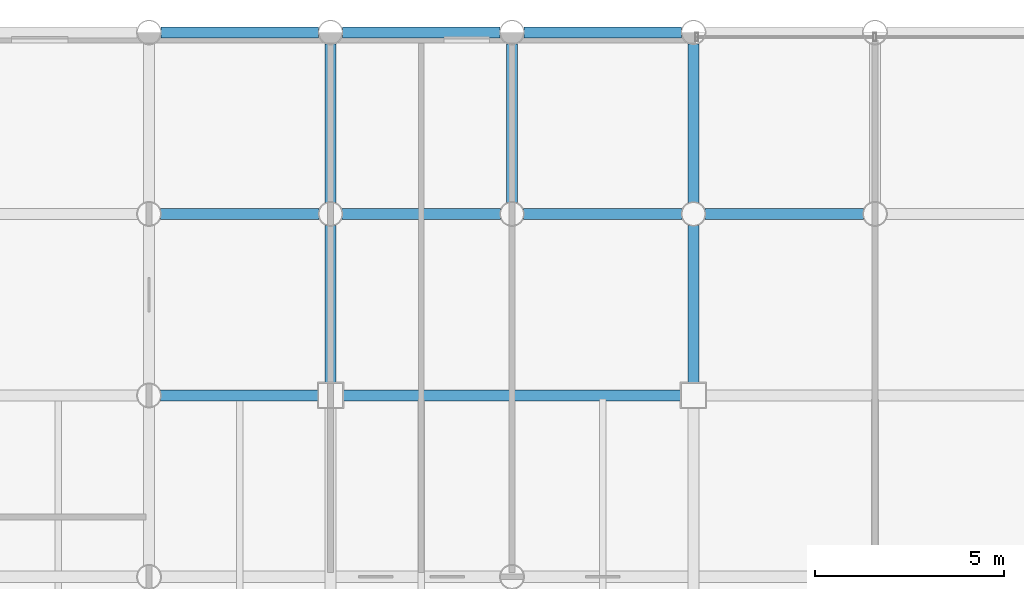
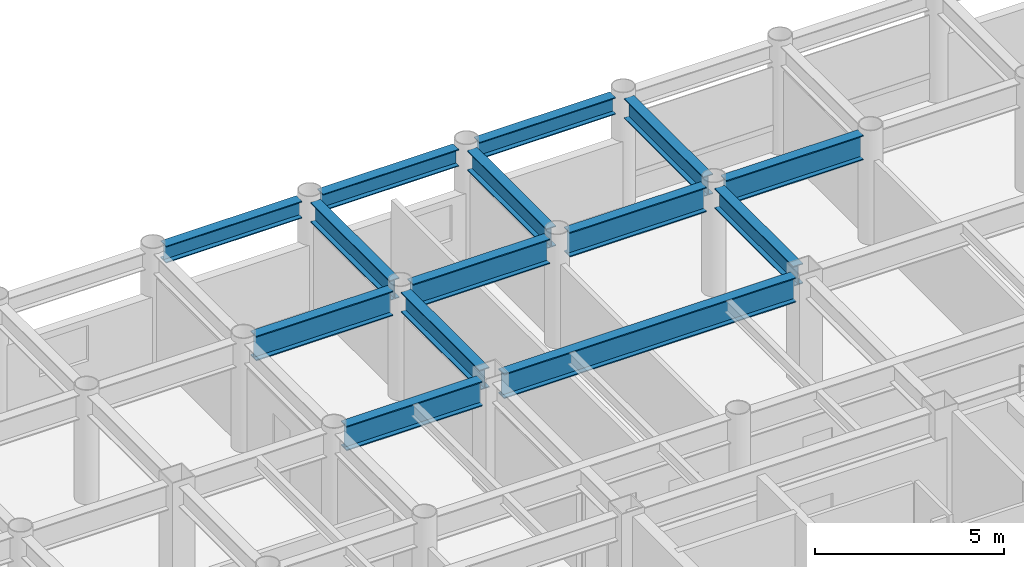
# One storey, part 11 of 19: 14 beams.
"""IFC4 building model written with IfcOpenShell, lengths in metres."""

from ifc_helpers import new_model, si_unit, direction, frame, origin, origin_2d, place, context, subcontext, project, spatial, i_section, extrude, material, material_profile, profile_set, type_object, element, save


model = new_model("IFC4")

# Units and contexts
model_context = context("Model", 3, precision=1e-05, world=origin(), true_north=direction((0.0, 1.0)))
body_context = subcontext(model_context, "Body", "Model", "MODEL_VIEW")
ifc_project = project(units=[si_unit("LENGTHUNIT", "METRE"), si_unit("AREAUNIT", "SQUARE_METRE"), si_unit("VOLUMEUNIT", "CUBIC_METRE"), si_unit("PLANEANGLEUNIT", "RADIAN"), si_unit("MASSUNIT", "GRAM", prefix="KILO")], contexts=[model_context])

# Site, building, storey
site_placement = place(None, origin())
site = spatial("IfcSite", under=ifc_project, at=site_placement, CompositionType="ELEMENT")
building_placement = place(site_placement, origin())
building = spatial("IfcBuilding", under=site, at=building_placement, Name="Kallvorn Hotel Tower", CompositionType="ELEMENT")
storey_placement = place(building_placement, frame((0.0, 0.0, 147.0)))
storey = spatial("IfcBuildingStorey", under=building, at=storey_placement, Name="L36", CompositionType="ELEMENT", Elevation=147.0)

# Beams
ifc_material_1 = material(Name="Structural steel S355JR", Category="steel")
ifc_material_profile_1 = material_profile(ifc_material_1, i_section(OverallWidth=0.300048828125, OverallDepth=0.550048828125, WebThickness=0.014892578125, FlangeThickness=0.029052734375, at=origin_2d()), Name="HE 550 B")
ifc_profile_set_1 = profile_set([ifc_material_profile_1], Name="Structural steel S355JR")
beam_type_1 = type_object("IfcBeamType", Name="BM_HE550B", PredefinedType="SPANDREL", material=ifc_profile_set_1)
beam_1_placement = place(storey_placement, frame((-18.8798828125, 24.0, 3.2451171875), z_axis=(1.0, 0.0, 0.0), x_axis=(0.0, 1.0, 0.0)))
element("IfcBeam", 1, at=beam_1_placement, inside=storey, type_object=beam_type_1, Name="L37 Perimeter Spandrel 165", PredefinedType="SPANDREL", context=body_context, shape_type="SweptSolid", body=[
    extrude(i_section(OverallWidth=0.300048828125, OverallDepth=0.550048828125, WebThickness=0.014892578125, FlangeThickness=0.029052734375, at=origin_2d()), origin(), (0.0, 0.0, 1.0), 4.159912109375),
])
beam_2_placement = place(storey_placement, frame((-14.080078125, 24.0, 3.2451171875), z_axis=(1.0, 0.0, 0.0), x_axis=(0.0, 1.0, 0.0)))
element("IfcBeam", 2, at=beam_2_placement, inside=storey, type_object=beam_type_1, Name="L37 Perimeter Spandrel 166", PredefinedType="SPANDREL", context=body_context, shape_type="SweptSolid", body=[
    extrude(i_section(OverallWidth=0.300048828125, OverallDepth=0.550048828125, WebThickness=0.014892578125, FlangeThickness=0.029052734375, at=origin_2d()), origin(), (0.0, 0.0, 1.0), 4.16015625),
])
beam_3_placement = place(storey_placement, frame((-9.280029296875, 24.0, 3.2451171875), z_axis=(1.0, 0.0, 0.0), x_axis=(0.0, 1.0, 0.0)))
element("IfcBeam", 3, at=beam_3_placement, inside=storey, type_object=beam_type_1, Name="L37 Perimeter Spandrel 167", PredefinedType="SPANDREL", context=body_context, shape_type="SweptSolid", body=[
    extrude(i_section(OverallWidth=0.300048828125, OverallDepth=0.550048828125, WebThickness=0.014892578125, FlangeThickness=0.029052734375, at=origin_2d()), origin(), (0.0, 0.0, 1.0), 4.159912109375),
])
ifc_material_2 = material(Name="Structural steel S355JR", Category="steel")
ifc_material_profile_2 = material_profile(ifc_material_2, i_section(OverallWidth=0.300048828125, OverallDepth=0.64990234375, WebThickness=0.01611328125, FlangeThickness=0.031005859375, at=origin_2d()), Name="HE 650 B")
ifc_profile_set_2 = profile_set([ifc_material_profile_2], Name="Structural steel S355JR")
beam_type_2 = type_object("IfcBeamType", Name="BM_HE650B", PredefinedType="BEAM", material=ifc_profile_set_2)
beam_4_placement = place(storey_placement, frame((-14.39990234375, 14.72509765625, 3.195068359375), z_axis=(0.0, 1.0, 0.0), x_axis=(-1.0, 0.0, 0.0)))
element("IfcBeam", 4, at=beam_4_placement, inside=storey, type_object=beam_type_2, Name="L37 Primary Y-Girder 101", PredefinedType="BEAM", context=body_context, shape_type="SweptSolid", body=[
    extrude(i_section(OverallWidth=0.300048828125, OverallDepth=0.64990234375, WebThickness=0.01611328125, FlangeThickness=0.031005859375, at=origin_2d()), origin(), (0.0, 0.0, 1.0), 4.169921875),
])
for number, where, z_axis, x_axis, name in (
    (5, (-14.39990234375, 19.5048828125, 3.195068359375), (0.0, 1.0, 0.0), (-1.0, 0.0, 0.0), "L37 Primary Y-Girder 102"),
    (6, (-9.60009765625, 19.5048828125, 3.195068359375), (0.0, 1.0, 0.0), (-1.0, 0.0, 0.0), "L37 Primary Y-Girder 105"),
):
    element("IfcBeam", number, at=place(storey_placement, frame(where, z_axis=z_axis, x_axis=x_axis)), inside=storey, type_object=beam_type_2, Name=name, PredefinedType="BEAM", context=body_context, shape_type="SweptSolid", body=[
        extrude(i_section(OverallWidth=0.300048828125, OverallDepth=0.64990234375, WebThickness=0.01611328125, FlangeThickness=0.031005859375, at=origin_2d()), origin(), (0.0, 0.0, 1.0), 4.190185546875),
    ])
beam_5_placement = place(storey_placement, frame((-4.800048828125, 14.72509765625, 3.195068359375), z_axis=(0.0, 1.0, 0.0), x_axis=(-1.0, 0.0, 0.0)))
element("IfcBeam", 7, at=beam_5_placement, inside=storey, type_object=beam_type_2, Name="L37 Primary Y-Girder 109", PredefinedType="BEAM", context=body_context, shape_type="SweptSolid", body=[
    extrude(i_section(OverallWidth=0.300048828125, OverallDepth=0.64990234375, WebThickness=0.01611328125, FlangeThickness=0.031005859375, at=origin_2d()), origin(), (0.0, 0.0, 1.0), 4.169921875),
])
beam_6_placement = place(storey_placement, frame((-4.800048828125, 19.5048828125, 3.195068359375), z_axis=(0.0, 1.0, 0.0), x_axis=(-1.0, 0.0, 0.0)))
element("IfcBeam", 8, at=beam_6_placement, inside=storey, type_object=beam_type_2, Name="L37 Primary Y-Girder 110", PredefinedType="BEAM", context=body_context, shape_type="SweptSolid", body=[
    extrude(i_section(OverallWidth=0.300048828125, OverallDepth=0.64990234375, WebThickness=0.01611328125, FlangeThickness=0.031005859375, at=origin_2d()), origin(), (0.0, 0.0, 1.0), 4.190185546875),
])
ifc_material_3 = material(Name="Structural steel S355JR", Category="steel")
ifc_material_profile_3 = material_profile(ifc_material_3, i_section(OverallWidth=0.300048828125, OverallDepth=0.800048828125, WebThickness=0.017578125, FlangeThickness=0.032958984375, at=origin_2d()), Name="HE 800 B")
ifc_profile_set_3 = profile_set([ifc_material_profile_3], Name="Structural steel S355JR")
beam_type_3 = type_object("IfcBeamType", Name="BM_HE800B", PredefinedType="BEAM", material=ifc_profile_set_3)
beam_7_placement = place(storey_placement, frame((-18.89501953125, 14.39990234375, 3.1201171875), z_axis=(1.0, 0.0, 0.0), x_axis=(0.0, 1.0, 0.0)))
element("IfcBeam", 9, at=beam_7_placement, inside=storey, type_object=beam_type_3, Name="L37 Primary X-Girder 53", PredefinedType="BEAM", context=body_context, shape_type="SweptSolid", body=[
    extrude(i_section(OverallWidth=0.300048828125, OverallDepth=0.800048828125, WebThickness=0.017578125, FlangeThickness=0.032958984375, at=origin_2d()), origin(), (0.0, 0.0, 1.0), 4.169921875),
])
beam_8_placement = place(storey_placement, frame((-14.074951171875, 14.39990234375, 3.1201171875), z_axis=(1.0, 0.0, 0.0), x_axis=(0.0, 1.0, 0.0)))
element("IfcBeam", 10, at=beam_8_placement, inside=storey, type_object=beam_type_3, Name="L37 Primary X-Girder 54", PredefinedType="BEAM", context=body_context, shape_type="SweptSolid", body=[
    extrude(i_section(OverallWidth=0.300048828125, OverallDepth=0.800048828125, WebThickness=0.017578125, FlangeThickness=0.032958984375, at=origin_2d()), origin(), (0.0, 0.0, 1.0), 8.949951171875),
])
for number, where, z_axis, x_axis, name in (
    (11, (-18.89501953125, 19.199951171875, 3.1201171875), (1.0, 0.0, 0.0), (0.0, 1.0, 0.0), "L37 Primary X-Girder 63"),
    (12, (-14.094970703125, 19.199951171875, 3.1201171875), (1.0, 0.0, 0.0), (0.0, 1.0, 0.0), "L37 Primary X-Girder 64"),
    (13, (-9.294921875, 19.199951171875, 3.1201171875), (1.0, 0.0, 0.0), (0.0, 1.0, 0.0), "L37 Primary X-Girder 65"),
):
    element("IfcBeam", number, at=place(storey_placement, frame(where, z_axis=z_axis, x_axis=x_axis)), inside=storey, type_object=beam_type_3, Name=name, PredefinedType="BEAM", context=body_context, shape_type="SweptSolid", body=[
        extrude(i_section(OverallWidth=0.300048828125, OverallDepth=0.800048828125, WebThickness=0.017578125, FlangeThickness=0.032958984375, at=origin_2d()), origin(), (0.0, 0.0, 1.0), 4.18994140625),
    ])
beam_9_placement = place(storey_placement, frame((-4.4951171875, 19.199951171875, 3.1201171875), z_axis=(1.0, 0.0, 0.0), x_axis=(0.0, 1.0, 0.0)))
element("IfcBeam", 14, at=beam_9_placement, inside=storey, type_object=beam_type_3, Name="L37 Primary X-Girder 66", PredefinedType="BEAM", context=body_context, shape_type="SweptSolid", body=[
    extrude(i_section(OverallWidth=0.300048828125, OverallDepth=0.800048828125, WebThickness=0.017578125, FlangeThickness=0.032958984375, at=origin_2d()), origin(), (0.0, 0.0, 1.0), 4.190185546875),
])

save(model, "model.ifc")
